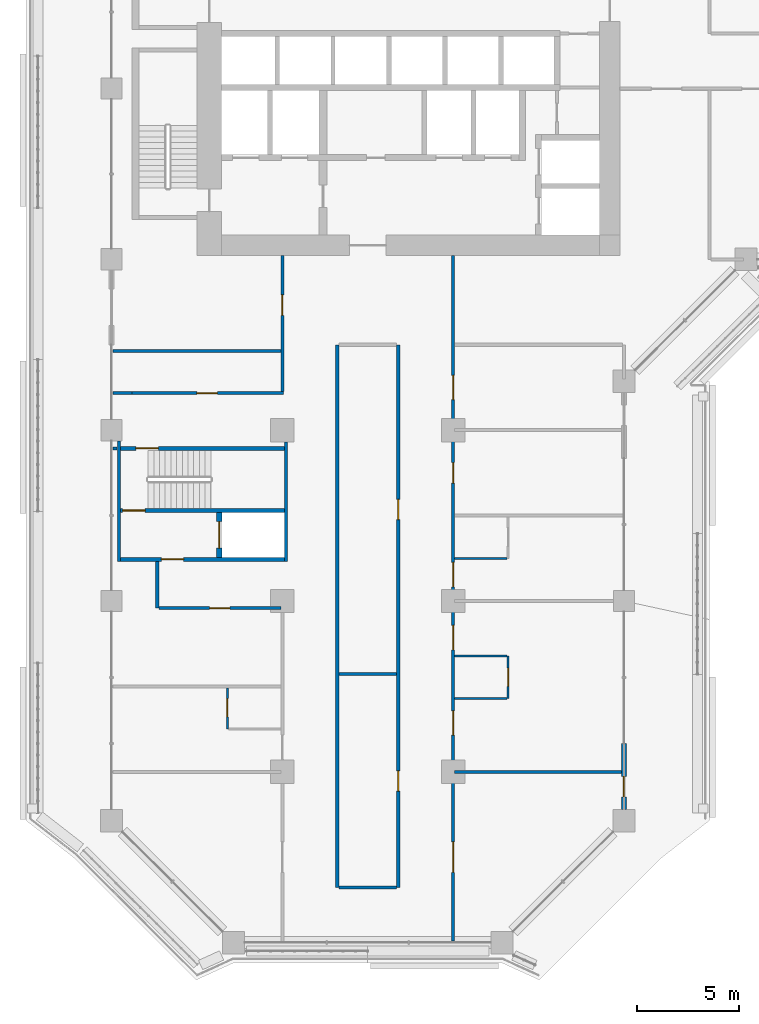
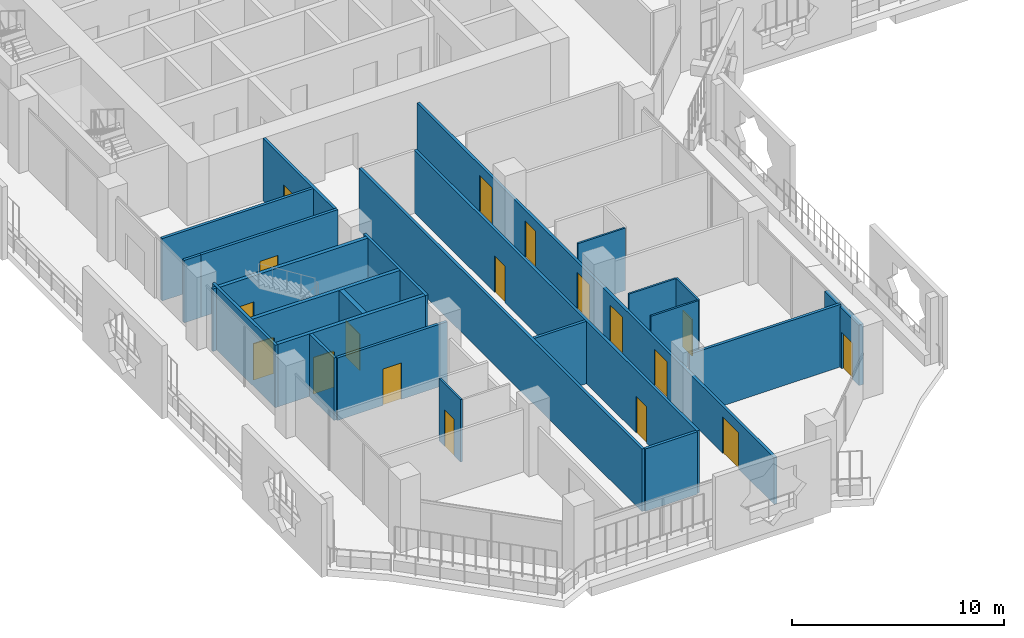
# One storey, part 12 of 26: 25 walls, 18 doors, 18 openings.
"""IFC4 building model written with IfcOpenShell, lengths in metres."""

from ifc_helpers import new_model, si_unit, direction, frame, frame_2d, origin, place, context, subcontext, project, spatial, rectangle, extrude, material, layer, layer_set, type_object, element, fill, save


model = new_model("IFC4")

# Units and contexts
model_context = context("Model", 3, precision=1e-05, world=origin(), true_north=direction((0.0, 1.0)))
body_context = subcontext(model_context, "Body", "Model", "MODEL_VIEW")
ifc_project = project(units=[si_unit("LENGTHUNIT", "METRE"), si_unit("AREAUNIT", "SQUARE_METRE"), si_unit("VOLUMEUNIT", "CUBIC_METRE"), si_unit("PLANEANGLEUNIT", "RADIAN"), si_unit("MASSUNIT", "GRAM", prefix="KILO")], contexts=[model_context])

# Site, building, storey
site_placement = place(None, origin())
site = spatial("IfcSite", under=ifc_project, at=site_placement, CompositionType="ELEMENT")
building_placement = place(site_placement, origin())
building = spatial("IfcBuilding", under=site, at=building_placement, Name="Kawkab Arch Medical Tower", CompositionType="ELEMENT")
storey_placement = place(building_placement, frame((0.0, 0.0, 119.800048828125)))
storey = spatial("IfcBuildingStorey", under=building, at=storey_placement, Name="L27", CompositionType="ELEMENT", Elevation=119.800048828125)

# Wall, opening, door
ifc_material_1 = material(Name="Concrete C60/75", Category="concrete")
ifc_layer_1 = layer(ifc_material_1, 0.25)
ifc_layer_set_1 = layer_set([ifc_layer_1], Name="Concrete C60/75")
wall_type_1 = type_object("IfcWallType", Name="Core shear wall 250 C60/75", PredefinedType="SHEAR", material=ifc_layer_set_1)
wall_1_placement = place(storey_placement, frame((5.300048828125, -39.85009765625, 0.0), z_axis=(0.0, 0.0, 1.0), x_axis=(0.0, 1.0, 0.0)))
wall_1 = element("IfcWall", 1, at=wall_1_placement, inside=storey, type_object=wall_type_1, Name="L27 core shear wall", PredefinedType="SHEAR", context=body_context, shape_type="SweptSolid", body=[
    extrude(rectangle(XDim=2.2001953125, YDim=0.25, at=frame_2d((1.10009765625, 0.0))), origin(), (0.0, 0.0, 1.0), 3.599853515625),
])
opening_1_placement = place(wall_1_placement, frame((0.449951171875, 0.0, 0.0)))
opening_1 = element("IfcOpeningElement", 2, at=opening_1_placement, cuts=wall_1, Name="Opening LD2", PredefinedType="OPENING", context=body_context, shape_type="SweptSolid", body=[
    extrude(rectangle(XDim=1.300048828125, YDim=2.10009765625, at=frame_2d((0.64990234375, 1.050048828125))), frame((0.0, 0.135009765625, 0.0), z_axis=(0.0, -1.0, 0.0), x_axis=(1.0, 0.0, 0.0)), (0.0, 0.0, 1.0), 0.27001953125),
])
ifc_material_2 = material(Name="Stainless steel lift door leaf", Category="steel")
door_type_1 = type_object("IfcDoorType", Name="Lift landing door 1300", OperationType="DOUBLE_DOOR_SLIDING", PredefinedType="DOOR", material=ifc_material_2)
door_1_placement = place(opening_1_placement, origin())
door_1 = element("IfcDoor", 3, at=door_1_placement, inside=storey, type_object=door_type_1, Name="L27 Lift landing door SV2", OperationType="DOUBLE_DOOR_SLIDING", OverallHeight=2.10009765625, OverallWidth=1.300048828125, PredefinedType="DOOR", context=body_context, shape_type="SweptSolid", body=[
    extrude(rectangle(XDim=1.300048828125, YDim=2.10009765625, at=frame_2d((0.64990234375, 1.050048828125))), frame((0.0, 0.02490234375, 0.0), z_axis=(0.0, -1.0, 0.0), x_axis=(1.0, 0.0, 0.0)), (0.0, 0.0, 1.0), 0.050048828125),
])
fill(opening_1, door_1)

ifc_material_3 = material(Name="Bronze clad insulated wall panel")
ifc_layer_2 = layer(ifc_material_3, 0.25)
ifc_layer_set_2 = layer_set([ifc_layer_2], Name="Bronze clad insulated wall panel")
wall_type_2 = type_object("IfcWallType", Name="External wall bay 250", PredefinedType="SOLIDWALL", material=ifc_layer_set_2)
wall_2_placement = place(storey_placement, frame((25.199951171875, -52.25, 0.0), z_axis=(0.0, 0.0, 1.0), x_axis=(0.0, 1.0, 0.0)))
wall_2 = element("IfcWall", 4, at=wall_2_placement, inside=storey, type_object=wall_type_2, Name="External wall bay L27.R05.1.1", PredefinedType="SOLIDWALL", context=body_context, shape_type="SweptSolid", body=[
    extrude(rectangle(XDim=3.24169921875, YDim=0.25, at=frame_2d((1.620849609375, 0.0))), origin(), (0.0, 0.0, 1.0), 3.47998046875),
])
opening_2_placement = place(wall_2_placement, frame((0.620849609375, 0.0, 0.0)))
opening_2 = element("IfcOpeningElement", 5, at=opening_2_placement, cuts=wall_2, Name="Opening W27-702", PredefinedType="OPENING", context=body_context, shape_type="SweptSolid", body=[
    extrude(rectangle(XDim=1.0, YDim=2.10009765625, at=frame_2d((0.5, 1.050048828125))), frame((0.0, 0.135009765625, 0.0), z_axis=(0.0, -1.0, 0.0), x_axis=(1.0, 0.0, 0.0)), (0.0, 0.0, 1.0), 0.27001953125),
])
ifc_material_4 = material(Name="Bronze anodised aluminium door with tinted glass", Category="aluminium")
door_type_2 = type_object("IfcDoorType", Name="Single external door 1000 x 2100", OperationType="SINGLE_SWING_LEFT", PredefinedType="DOOR", material=ifc_material_4)
door_2_placement = place(opening_2_placement, origin())
door_2 = element("IfcDoor", 6, at=door_2_placement, inside=storey, type_object=door_type_2, Name="External door L27.R05.1.1", OperationType="SINGLE_SWING_LEFT", OverallHeight=2.10009765625, OverallWidth=1.0, PredefinedType="DOOR", context=body_context, shape_type="SweptSolid", body=[
    extrude(rectangle(XDim=1.0, YDim=2.10009765625, at=frame_2d((0.5, 1.050048828125))), frame((0.0, 0.02490234375, 0.0), z_axis=(0.0, -1.0, 0.0), x_axis=(1.0, 0.0, 0.0)), (0.0, 0.0, 1.0), 0.050048828125),
])
fill(opening_2, door_2)

# Walls
ifc_material_5 = material(Name="Gypsum board partition on steel studs", Category="steel")
ifc_layer_3 = layer(ifc_material_5, 0.10009765625)
ifc_layer_set_3 = layer_set([ifc_layer_3], Name="Gypsum board partition on steel studs")
wall_type_3 = type_object("IfcWallType", Name="Partition 100", PredefinedType="PARTITIONING", material=ifc_layer_set_3)
wall_3_placement = place(storey_placement, frame((16.875, -46.800048828125, 0.0), z_axis=(0.0, 0.0, 1.0), x_axis=(1.0, 0.0, 0.0)))
element("IfcWall", 7, at=wall_3_placement, inside=storey, type_object=wall_type_3, Name="Partition 100 w002", PredefinedType="PARTITIONING", context=body_context, shape_type="SweptSolid", body=[
    extrude(rectangle(XDim=2.572998046875, YDim=0.10009765625, at=frame_2d((1.28662109375, 0.0))), origin(), (0.0, 0.0, 1.0), 3.599853515625),
])
wall_4_placement = place(storey_placement, frame((16.875, -44.699951171875, 0.0), z_axis=(0.0, 0.0, 1.0), x_axis=(1.0, 0.0, 0.0)))
element("IfcWall", 8, at=wall_4_placement, inside=storey, type_object=wall_type_3, Name="Partition 100 w003", PredefinedType="PARTITIONING", context=body_context, shape_type="SweptSolid", body=[
    extrude(rectangle(XDim=2.573974609375, YDim=0.10009765625, at=frame_2d((1.287109375, 0.0))), origin(), (0.0, 0.0, 1.0), 3.599853515625),
])
wall_5_placement = place(storey_placement, frame((16.875, -39.89990234375, 0.0), z_axis=(0.0, 0.0, 1.0), x_axis=(1.0, 0.0, 0.0)))
element("IfcWall", 9, at=wall_5_placement, inside=storey, type_object=wall_type_3, Name="Partition 100 w004", PredefinedType="PARTITIONING", context=body_context, shape_type="SweptSolid", body=[
    extrude(rectangle(XDim=2.574951171875, YDim=0.10009765625, at=frame_2d((1.28759765625, 0.0))), origin(), (0.0, 0.0, 1.0), 3.599853515625),
])

# Wall, opening, door
wall_6_placement = place(storey_placement, frame((5.699951171875, -48.300048828125, 0.0), z_axis=(0.0, 0.0, 1.0), x_axis=(0.0, 1.0, 0.0)))
wall_6 = element("IfcWall", 10, at=wall_6_placement, inside=storey, type_object=wall_type_3, Name="Partition 100 w014", PredefinedType="PARTITIONING", context=body_context, shape_type="SweptSolid", body=[
    extrude(rectangle(XDim=2.025146484375, YDim=0.10009765625, at=frame_2d((1.0126953125, 0.0))), origin(), (0.0, 0.0, 1.0), 3.599853515625),
])
opening_3_placement = place(wall_6_placement, frame((0.60009765625, 0.0, 0.0)))
opening_3 = element("IfcOpeningElement", 11, at=opening_3_placement, cuts=wall_6, Name="Opening W27-014", PredefinedType="OPENING", context=body_context, shape_type="SweptSolid", body=[
    extrude(rectangle(XDim=0.89990234375, YDim=2.10009765625, at=frame_2d((0.449951171875, 1.050048828125))), frame((0.0, 0.06005859375, 0.0), z_axis=(0.0, -1.0, 0.0), x_axis=(1.0, 0.0, 0.0)), (0.0, 0.0, 1.0), 0.1201171875),
])
ifc_material_6 = material(Name="Timber door leaf", Category="wood")
door_type_3 = type_object("IfcDoorType", Name="Single door 900x2100", OperationType="NOTDEFINED", PredefinedType="DOOR", material=ifc_material_6)
door_3_placement = place(opening_3_placement, origin())
door_3 = element("IfcDoor", 12, at=door_3_placement, inside=storey, type_object=door_type_3, Name="Door W27-014", OperationType="SINGLE_SWING_LEFT", OverallHeight=2.10009765625, OverallWidth=0.89990234375, PredefinedType="DOOR", context=body_context, shape_type="SweptSolid", body=[
    extrude(rectangle(XDim=0.89990234375, YDim=2.10009765625, at=frame_2d((0.449951171875, 1.050048828125))), frame((0.0, 0.02490234375, 0.0), z_axis=(0.0, -1.0, 0.0), x_axis=(1.0, 0.0, 0.0)), (0.0, 0.0, 1.0), 0.050048828125),
])
fill(opening_3, door_3)

wall_7_placement = place(storey_placement, frame((19.5, -46.798095703125, 0.0), z_axis=(0.0, 0.0, 1.0), x_axis=(0.0, 1.0, 0.0)))
wall_7 = element("IfcWall", 13, at=wall_7_placement, inside=storey, type_object=wall_type_3, Name="Partition 100 w015", PredefinedType="PARTITIONING", context=body_context, shape_type="SweptSolid", body=[
    extrude(rectangle(XDim=2.09619140625, YDim=0.10009765625, at=frame_2d((1.048095703125, 0.0))), origin(), (0.0, 0.0, 1.0), 3.599853515625),
])
opening_4_placement = place(wall_7_placement, frame((0.597900390625, 0.0, 0.0)))
opening_4 = element("IfcOpeningElement", 14, at=opening_4_placement, cuts=wall_7, Name="Opening W27-016", PredefinedType="OPENING", context=body_context, shape_type="SweptSolid", body=[
    extrude(rectangle(XDim=0.89990234375, YDim=2.10009765625, at=frame_2d((0.449951171875, 1.050048828125))), frame((0.0, 0.06005859375, 0.0), z_axis=(0.0, -1.0, 0.0), x_axis=(1.0, 0.0, 0.0)), (0.0, 0.0, 1.0), 0.1201171875),
])
door_4_placement = place(opening_4_placement, origin())
door_4 = element("IfcDoor", 15, at=door_4_placement, inside=storey, type_object=door_type_3, Name="Door W27-016", OperationType="SINGLE_SWING_RIGHT", OverallHeight=2.10009765625, OverallWidth=0.89990234375, PredefinedType="DOOR", context=body_context, shape_type="SweptSolid", body=[
    extrude(rectangle(XDim=0.89990234375, YDim=2.10009765625, at=frame_2d((0.449951171875, 1.050048828125))), frame((0.0, 0.02490234375, 0.0), z_axis=(0.0, -1.0, 0.0), x_axis=(1.0, 0.0, 0.0)), (0.0, 0.0, 1.0), 0.050048828125),
])
fill(opening_4, door_4)

# Walls
ifc_material_7 = material(Name="Gypsum board partition on steel studs, mineral wool", Category="steel")
ifc_layer_4 = layer(ifc_material_7, 0.14990234375)
ifc_layer_set_4 = layer_set([ifc_layer_4], Name="Gypsum board partition on steel studs, mineral wool")
wall_type_4 = type_object("IfcWallType", Name="Partition 150", PredefinedType="PARTITIONING", material=ifc_layer_set_4)
wall_8_placement = place(storey_placement, frame((11.175048828125, -56.10009765625, 0.0), z_axis=(0.0, 0.0, 1.0), x_axis=(1.0, 0.0, 0.0)))
element("IfcWall", 16, at=wall_8_placement, inside=storey, type_object=wall_type_4, Name="Partition 150 w030", PredefinedType="PARTITIONING", context=body_context, shape_type="SweptSolid", body=[
    extrude(rectangle(XDim=2.849853515625, YDim=0.14990234375, at=frame_2d((1.4248046875, 0.0))), origin(), (0.0, 0.0, 1.0), 3.599853515625),
])
wall_9_placement = place(storey_placement, frame((16.875, -50.39990234375, 0.0), z_axis=(0.0, 0.0, 1.0), x_axis=(1.0, 0.0, 0.0)))
element("IfcWall", 17, at=wall_9_placement, inside=storey, type_object=wall_type_4, Name="Partition 150 w032", PredefinedType="PARTITIONING", context=body_context, shape_type="SweptSolid", body=[
    extrude(rectangle(XDim=8.2451171875, YDim=0.14990234375, at=frame_2d((4.12255859375, 0.0))), origin(), (0.0, 0.0, 1.0), 3.599853515625),
])
wall_10_placement = place(storey_placement, frame((11.175048828125, -45.60009765625, 0.0), z_axis=(0.0, 0.0, 1.0), x_axis=(1.0, 0.0, 0.0)))
element("IfcWall", 18, at=wall_10_placement, inside=storey, type_object=wall_type_4, Name="Partition 150 w034", PredefinedType="PARTITIONING", context=body_context, shape_type="SweptSolid", body=[
    extrude(rectangle(XDim=2.849853515625, YDim=0.14990234375, at=frame_2d((1.4248046875, 0.0))), origin(), (0.0, 0.0, 1.0), 3.599853515625),
])

# Wall, opening, door
wall_11_placement = place(storey_placement, frame((2.326904296875, -42.35009765625, 0.0), z_axis=(0.0, 0.0, 1.0), x_axis=(1.0, 0.0, 0.0)))
wall_11 = element("IfcWall", 19, at=wall_11_placement, inside=storey, type_object=wall_type_4, Name="Partition 150 w035", PredefinedType="PARTITIONING", context=body_context, shape_type="SweptSolid", body=[
    extrude(rectangle(XDim=5.998046875, YDim=0.14990234375, at=frame_2d((2.9990234375, 0.0))), origin(), (0.0, 0.0, 1.0), 3.599853515625),
])
opening_5_placement = place(wall_11_placement, frame((2.4990234375, 0.0, 0.0)))
opening_5 = element("IfcOpeningElement", 20, at=opening_5_placement, cuts=wall_11, Name="Opening W27-032", PredefinedType="OPENING", context=body_context, shape_type="SweptSolid", body=[
    extrude(rectangle(XDim=1.0, YDim=2.10009765625, at=frame_2d((0.5, 1.050048828125))), frame((0.0, 0.0849609375, 0.0), z_axis=(0.0, -1.0, 0.0), x_axis=(1.0, 0.0, 0.0)), (0.0, 0.0, 1.0), 0.169921875),
])
ifc_material_8 = material(Name="Hollow metal door leaf")
door_type_4 = type_object("IfcDoorType", Name="Single door 1000x2100 FD30S", OperationType="NOTDEFINED", PredefinedType="DOOR", material=ifc_material_8)
door_5_placement = place(opening_5_placement, origin())
door_5 = element("IfcDoor", 21, at=door_5_placement, inside=storey, type_object=door_type_4, Name="Door W27-032", OperationType="SINGLE_SWING_RIGHT", OverallHeight=2.10009765625, OverallWidth=1.0, PredefinedType="DOOR", context=body_context, shape_type="SweptSolid", body=[
    extrude(rectangle(XDim=1.0, YDim=2.10009765625, at=frame_2d((0.5, 1.050048828125))), frame((0.0, 0.02490234375, 0.0), z_axis=(0.0, -1.0, 0.0), x_axis=(1.0, 0.0, 0.0)), (0.0, 0.0, 1.0), 0.050048828125),
])
fill(opening_5, door_5)

# Walls
wall_12_placement = place(storey_placement, frame((0.080078125, -34.5, 0.0), z_axis=(0.0, 0.0, 1.0), x_axis=(1.0, 0.0, 0.0)))
element("IfcWall", 22, at=wall_12_placement, inside=storey, type_object=wall_type_4, Name="Partition 150 w038", PredefinedType="PARTITIONING", context=body_context, shape_type="SweptSolid", body=[
    extrude(rectangle(XDim=0.18994140625, YDim=0.14990234375, at=frame_2d((0.094970703125, 0.0))), origin(), (0.0, 0.0, 1.0), 3.599853515625),
])
wall_13_placement = place(storey_placement, frame((0.080078125, -31.781982421875, 0.0), z_axis=(0.0, 0.0, 1.0), x_axis=(1.0, 0.0, 0.0)))
element("IfcWall", 23, at=wall_13_placement, inside=storey, type_object=wall_type_4, Name="Partition 150 w040", PredefinedType="PARTITIONING", context=body_context, shape_type="SweptSolid", body=[
    extrude(rectangle(XDim=0.919921875, YDim=0.14990234375, at=frame_2d((0.4599609375, 0.0))), origin(), (0.0, 0.0, 1.0), 3.599853515625),
])

# Wall, opening, door
wall_14_placement = place(storey_placement, frame((1.001953125, -31.781982421875, 0.0), z_axis=(0.0, 0.0, 1.0), x_axis=(1.0, 0.0, 0.0)))
wall_14 = element("IfcWall", 24, at=wall_14_placement, inside=storey, type_object=wall_type_4, Name="Partition 150 w041", PredefinedType="PARTITIONING", context=body_context, shape_type="SweptSolid", body=[
    extrude(rectangle(XDim=7.447998046875, YDim=0.14990234375, at=frame_2d((3.72412109375, 0.0))), origin(), (0.0, 0.0, 1.0), 3.599853515625),
])
opening_6_placement = place(wall_14_placement, frame((3.198974609375, 0.0, 0.0)))
opening_6 = element("IfcOpeningElement", 25, at=opening_6_placement, cuts=wall_14, Name="Opening W27-031", PredefinedType="OPENING", context=body_context, shape_type="SweptSolid", body=[
    extrude(rectangle(XDim=1.0, YDim=2.10009765625, at=frame_2d((0.5, 1.050048828125))), frame((0.0, 0.0849609375, 0.0), z_axis=(0.0, -1.0, 0.0), x_axis=(1.0, 0.0, 0.0)), (0.0, 0.0, 1.0), 0.169921875),
])
door_6_placement = place(opening_6_placement, origin())
door_6 = element("IfcDoor", 26, at=door_6_placement, inside=storey, type_object=door_type_4, Name="Door W27-031", OperationType="SINGLE_SWING_RIGHT", OverallHeight=2.10009765625, OverallWidth=1.0, PredefinedType="DOOR", context=body_context, shape_type="SweptSolid", body=[
    extrude(rectangle(XDim=1.0, YDim=2.10009765625, at=frame_2d((0.5, 1.050048828125))), frame((0.0, 0.02490234375, 0.0), z_axis=(0.0, -1.0, 0.0), x_axis=(1.0, 0.0, 0.0)), (0.0, 0.0, 1.0), 0.050048828125),
])
fill(opening_6, door_6)

# Walls
wall_15_placement = place(storey_placement, frame((0.080078125, -29.699951171875, 0.0), z_axis=(0.0, 0.0, 1.0), x_axis=(1.0, 0.0, 0.0)))
element("IfcWall", 27, at=wall_15_placement, inside=storey, type_object=wall_type_4, Name="Partition 150 w042", PredefinedType="PARTITIONING", context=body_context, shape_type="SweptSolid", body=[
    extrude(rectangle(XDim=8.244873046875, YDim=0.14990234375, at=frame_2d((4.12255859375, 0.0))), origin(), (0.0, 0.0, 1.0), 3.599853515625),
])
wall_16_placement = place(storey_placement, frame((2.25, -42.347900390625, 0.0), z_axis=(0.0, 0.0, 1.0), x_axis=(0.0, 1.0, 0.0)))
element("IfcWall", 28, at=wall_16_placement, inside=storey, type_object=wall_type_4, Name="Partition 150 w058", PredefinedType="PARTITIONING", context=body_context, shape_type="SweptSolid", body=[
    extrude(rectangle(XDim=2.2978515625, YDim=0.14990234375, at=frame_2d((1.14892578125, 0.0))), origin(), (0.0, 0.0, 1.0), 3.599853515625),
])

# Wall, opening, door
wall_17_placement = place(storey_placement, frame((8.39990234375, -31.70703125, 0.0), z_axis=(0.0, 0.0, 1.0), x_axis=(0.0, 1.0, 0.0)))
wall_17 = element("IfcWall", 29, at=wall_17_placement, inside=storey, type_object=wall_type_4, Name="Partition 150 w060", PredefinedType="PARTITIONING", context=body_context, shape_type="SweptSolid", body=[
    extrude(rectangle(XDim=6.70703125, YDim=0.14990234375, at=frame_2d((3.353515625, 0.0))), origin(), (0.0, 0.0, 1.0), 3.599853515625),
])
opening_7_placement = place(wall_17_placement, frame((3.757080078125, 0.0, 0.0)))
opening_7 = element("IfcOpeningElement", 30, at=opening_7_placement, cuts=wall_17, Name="Opening W27-030", PredefinedType="OPENING", context=body_context, shape_type="SweptSolid", body=[
    extrude(rectangle(XDim=1.0, YDim=2.10009765625, at=frame_2d((0.5, 1.050048828125))), frame((0.0, 0.0849609375, 0.0), z_axis=(0.0, -1.0, 0.0), x_axis=(1.0, 0.0, 0.0)), (0.0, 0.0, 1.0), 0.169921875),
])
door_7_placement = place(opening_7_placement, origin())
door_7 = element("IfcDoor", 31, at=door_7_placement, inside=storey, type_object=door_type_4, Name="Door W27-030", OperationType="SINGLE_SWING_RIGHT", OverallHeight=2.10009765625, OverallWidth=1.0, PredefinedType="DOOR", context=body_context, shape_type="SweptSolid", body=[
    extrude(rectangle(XDim=1.0, YDim=2.10009765625, at=frame_2d((0.5, 1.050048828125))), frame((0.0, 0.02490234375, 0.0), z_axis=(0.0, -1.0, 0.0), x_axis=(1.0, 0.0, 0.0)), (0.0, 0.0, 1.0), 0.050048828125),
])
fill(opening_7, door_7)

# Wall
wall_18_placement = place(storey_placement, frame((11.10009765625, -56.10009765625, 0.0), z_axis=(0.0, 0.0, 1.0), x_axis=(0.0, 1.0, 0.0)))
element("IfcWall", 32, at=wall_18_placement, inside=storey, type_object=wall_type_4, Name="Partition 150 w061", PredefinedType="PARTITIONING", context=body_context, shape_type="SweptSolid", body=[
    extrude(rectangle(XDim=26.7001953125, YDim=0.14990234375, at=frame_2d((13.35009765625, 0.0))), origin(), (0.0, 0.0, 1.0), 3.599853515625),
])

# Wall, openings, doors
wall_19_placement = place(storey_placement, frame((14.10009765625, -56.10009765625, 0.0), z_axis=(0.0, 0.0, 1.0), x_axis=(0.0, 1.0, 0.0)))
wall_19 = element("IfcWall", 33, at=wall_19_placement, inside=storey, type_object=wall_type_4, Name="Partition 150 w062", PredefinedType="PARTITIONING", context=body_context, shape_type="SweptSolid", body=[
    extrude(rectangle(XDim=26.7001953125, YDim=0.14990234375, at=frame_2d((13.35009765625, 0.0))), origin(), (0.0, 0.0, 1.0), 3.599853515625),
])
opening_8_placement = place(wall_19_placement, frame((18.10009765625, 0.0, 0.0)))
opening_8 = element("IfcOpeningElement", 34, at=opening_8_placement, cuts=wall_19, Name="Opening W27-033", PredefinedType="OPENING", context=body_context, shape_type="SweptSolid", body=[
    extrude(rectangle(XDim=1.0, YDim=2.10009765625, at=frame_2d((0.5, 1.050048828125))), frame((0.0, 0.0849609375, 0.0), z_axis=(0.0, -1.0, 0.0), x_axis=(1.0, 0.0, 0.0)), (0.0, 0.0, 1.0), 0.169921875),
])
opening_9_placement = place(wall_19_placement, frame((4.75, 0.0, 0.0)))
opening_9 = element("IfcOpeningElement", 35, at=opening_9_placement, cuts=wall_19, Name="Opening W27-034", PredefinedType="OPENING", context=body_context, shape_type="SweptSolid", body=[
    extrude(rectangle(XDim=1.0, YDim=2.10009765625, at=frame_2d((0.5, 1.050048828125))), frame((0.0, 0.0849609375, 0.0), z_axis=(0.0, -1.0, 0.0), x_axis=(1.0, 0.0, 0.0)), (0.0, 0.0, 1.0), 0.169921875),
])
door_8_placement = place(opening_8_placement, origin())
door_8 = element("IfcDoor", 36, at=door_8_placement, inside=storey, type_object=door_type_4, Name="Door W27-033", OperationType="SINGLE_SWING_RIGHT", OverallHeight=2.10009765625, OverallWidth=1.0, PredefinedType="DOOR", context=body_context, shape_type="SweptSolid", body=[
    extrude(rectangle(XDim=1.0, YDim=2.10009765625, at=frame_2d((0.5, 1.050048828125))), frame((0.0, 0.02490234375, 0.0), z_axis=(0.0, -1.0, 0.0), x_axis=(1.0, 0.0, 0.0)), (0.0, 0.0, 1.0), 0.050048828125),
])
fill(opening_8, door_8)
door_9_placement = place(opening_9_placement, origin())
door_9 = element("IfcDoor", 37, at=door_9_placement, inside=storey, type_object=door_type_4, Name="Door W27-034", OperationType="SINGLE_SWING_LEFT", OverallHeight=2.10009765625, OverallWidth=1.0, PredefinedType="DOOR", context=body_context, shape_type="SweptSolid", body=[
    extrude(rectangle(XDim=1.0, YDim=2.10009765625, at=frame_2d((0.5, 1.050048828125))), frame((0.0, 0.02490234375, 0.0), z_axis=(0.0, -1.0, 0.0), x_axis=(1.0, 0.0, 0.0)), (0.0, 0.0, 1.0), 0.050048828125),
])
fill(opening_9, door_9)

wall_20_placement = place(storey_placement, frame((16.800048828125, -58.719970703125, 0.0), z_axis=(0.0, 0.0, 1.0), x_axis=(0.0, 1.0, 0.0)))
wall_20 = element("IfcWall", 38, at=wall_20_placement, inside=storey, type_object=wall_type_4, Name="Partition 150 w063", PredefinedType="PARTITIONING", context=body_context, shape_type="SweptSolid", body=[
    extrude(rectangle(XDim=33.719970703125, YDim=0.14990234375, at=frame_2d((16.85986328125, 0.0))), origin(), (0.0, 0.0, 1.0), 2.699951171875),
])
opening_10_placement = place(wall_20_placement, frame((26.6201171875, 0.0, 0.0)))
opening_10 = element("IfcOpeningElement", 39, at=opening_10_placement, cuts=wall_20, Name="Opening W27-054", PredefinedType="OPENING", context=body_context, shape_type="SweptSolid", body=[
    extrude(rectangle(XDim=1.199951171875, YDim=2.10009765625, at=frame_2d((0.60009765625, 1.050048828125))), frame((0.0, 0.0849609375, 0.0), z_axis=(0.0, -1.0, 0.0), x_axis=(1.0, 0.0, 0.0)), (0.0, 0.0, 1.0), 0.169921875),
])
opening_11_placement = place(wall_20_placement, frame((22.52001953125, 0.0, 0.0)))
opening_11 = element("IfcOpeningElement", 40, at=opening_11_placement, cuts=wall_20, Name="Opening W27-035", PredefinedType="OPENING", context=body_context, shape_type="SweptSolid", body=[
    extrude(rectangle(XDim=1.0, YDim=2.10009765625, at=frame_2d((0.5, 1.050048828125))), frame((0.0, 0.0849609375, 0.0), z_axis=(0.0, -1.0, 0.0), x_axis=(1.0, 0.0, 0.0)), (0.0, 0.0, 1.0), 0.169921875),
])
opening_12_placement = place(wall_20_placement, frame((17.419921875, 0.0, 0.0)))
opening_12 = element("IfcOpeningElement", 41, at=opening_12_placement, cuts=wall_20, Name="Opening W27-055", PredefinedType="OPENING", context=body_context, shape_type="SweptSolid", body=[
    extrude(rectangle(XDim=1.199951171875, YDim=2.10009765625, at=frame_2d((0.60009765625, 1.050048828125))), frame((0.0, 0.0849609375, 0.0), z_axis=(0.0, -1.0, 0.0), x_axis=(1.0, 0.0, 0.0)), (0.0, 0.0, 1.0), 0.169921875),
])
opening_13_placement = place(wall_20_placement, frame((10.1201171875, 0.0, 0.0)))
opening_13 = element("IfcOpeningElement", 42, at=opening_13_placement, cuts=wall_20, Name="Opening W27-056", PredefinedType="OPENING", context=body_context, shape_type="SweptSolid", body=[
    extrude(rectangle(XDim=1.199951171875, YDim=2.10009765625, at=frame_2d((0.60009765625, 1.050048828125))), frame((0.0, 0.0849609375, 0.0), z_axis=(0.0, -1.0, 0.0), x_axis=(1.0, 0.0, 0.0)), (0.0, 0.0, 1.0), 0.169921875),
])
opening_14_placement = place(wall_20_placement, frame((14.320068359375, 0.0, 0.0)))
opening_14 = element("IfcOpeningElement", 43, at=opening_14_placement, cuts=wall_20, Name="Opening W27-057", PredefinedType="OPENING", context=body_context, shape_type="SweptSolid", body=[
    extrude(rectangle(XDim=1.199951171875, YDim=2.10009765625, at=frame_2d((0.60009765625, 1.050048828125))), frame((0.0, 0.0849609375, 0.0), z_axis=(0.0, -1.0, 0.0), x_axis=(1.0, 0.0, 0.0)), (0.0, 0.0, 1.0), 0.169921875),
])
opening_15_placement = place(wall_20_placement, frame((3.3701171875, 0.0, 0.0)))
opening_15 = element("IfcOpeningElement", 44, at=opening_15_placement, cuts=wall_20, Name="Opening W27-003", PredefinedType="OPENING", context=body_context, shape_type="SweptSolid", body=[
    extrude(rectangle(XDim=1.5, YDim=2.10009765625, at=frame_2d((0.75, 1.050048828125))), frame((0.0, 0.0849609375, 0.0), z_axis=(0.0, -1.0, 0.0), x_axis=(1.0, 0.0, 0.0)), (0.0, 0.0, 1.0), 0.169921875),
])
ifc_material_9 = material(Name="Hollow metal door leaf")
door_type_5 = type_object("IfcDoorType", Name="Double door 1500x2100 FD30S", OperationType="NOTDEFINED", PredefinedType="DOOR", material=ifc_material_9)
door_10_placement = place(opening_15_placement, origin())
door_10 = element("IfcDoor", 45, at=door_10_placement, inside=storey, type_object=door_type_5, Name="Door W27-003", OperationType="DOUBLE_DOOR_SINGLE_SWING", OverallHeight=2.10009765625, OverallWidth=1.5, PredefinedType="DOOR", context=body_context, shape_type="SweptSolid", body=[
    extrude(rectangle(XDim=1.5, YDim=2.10009765625, at=frame_2d((0.75, 1.050048828125))), frame((0.0, 0.02490234375, 0.0), z_axis=(0.0, -1.0, 0.0), x_axis=(1.0, 0.0, 0.0)), (0.0, 0.0, 1.0), 0.050048828125),
])
fill(opening_15, door_10)
door_11_placement = place(opening_11_placement, origin())
door_11 = element("IfcDoor", 46, at=door_11_placement, inside=storey, type_object=door_type_4, Name="Door W27-035", OperationType="SINGLE_SWING_LEFT", OverallHeight=2.10009765625, OverallWidth=1.0, PredefinedType="DOOR", context=body_context, shape_type="SweptSolid", body=[
    extrude(rectangle(XDim=1.0, YDim=2.10009765625, at=frame_2d((0.5, 1.050048828125))), frame((0.0, 0.02490234375, 0.0), z_axis=(0.0, -1.0, 0.0), x_axis=(1.0, 0.0, 0.0)), (0.0, 0.0, 1.0), 0.050048828125),
])
fill(opening_11, door_11)
ifc_material_10 = material(Name="Hollow metal door leaf")
door_type_6 = type_object("IfcDoorType", Name="Single door 1200x2100 FD30S", OperationType="NOTDEFINED", PredefinedType="DOOR", material=ifc_material_10)
door_12_placement = place(opening_10_placement, origin())
door_12 = element("IfcDoor", 47, at=door_12_placement, inside=storey, type_object=door_type_6, Name="Door W27-054", OperationType="SINGLE_SWING_LEFT", OverallHeight=2.10009765625, OverallWidth=1.199951171875, PredefinedType="DOOR", context=body_context, shape_type="SweptSolid", body=[
    extrude(rectangle(XDim=1.199951171875, YDim=2.10009765625, at=frame_2d((0.60009765625, 1.050048828125))), frame((0.0, 0.02490234375, 0.0), z_axis=(0.0, -1.0, 0.0), x_axis=(1.0, 0.0, 0.0)), (0.0, 0.0, 1.0), 0.050048828125),
])
fill(opening_10, door_12)
door_13_placement = place(opening_12_placement, origin())
door_13 = element("IfcDoor", 48, at=door_13_placement, inside=storey, type_object=door_type_6, Name="Door W27-055", OperationType="SINGLE_SWING_LEFT", OverallHeight=2.10009765625, OverallWidth=1.199951171875, PredefinedType="DOOR", context=body_context, shape_type="SweptSolid", body=[
    extrude(rectangle(XDim=1.199951171875, YDim=2.10009765625, at=frame_2d((0.60009765625, 1.050048828125))), frame((0.0, 0.02490234375, 0.0), z_axis=(0.0, -1.0, 0.0), x_axis=(1.0, 0.0, 0.0)), (0.0, 0.0, 1.0), 0.050048828125),
])
fill(opening_12, door_13)
door_14_placement = place(opening_13_placement, origin())
door_14 = element("IfcDoor", 49, at=door_14_placement, inside=storey, type_object=door_type_6, Name="Door W27-056", OperationType="SINGLE_SWING_RIGHT", OverallHeight=2.10009765625, OverallWidth=1.199951171875, PredefinedType="DOOR", context=body_context, shape_type="SweptSolid", body=[
    extrude(rectangle(XDim=1.199951171875, YDim=2.10009765625, at=frame_2d((0.60009765625, 1.050048828125))), frame((0.0, 0.02490234375, 0.0), z_axis=(0.0, -1.0, 0.0), x_axis=(1.0, 0.0, 0.0)), (0.0, 0.0, 1.0), 0.050048828125),
])
fill(opening_13, door_14)
door_15_placement = place(opening_14_placement, origin())
door_15 = element("IfcDoor", 50, at=door_15_placement, inside=storey, type_object=door_type_6, Name="Door W27-057", OperationType="SINGLE_SWING_RIGHT", OverallHeight=2.10009765625, OverallWidth=1.199951171875, PredefinedType="DOOR", context=body_context, shape_type="SweptSolid", body=[
    extrude(rectangle(XDim=1.199951171875, YDim=2.10009765625, at=frame_2d((0.60009765625, 1.050048828125))), frame((0.0, 0.02490234375, 0.0), z_axis=(0.0, -1.0, 0.0), x_axis=(1.0, 0.0, 0.0)), (0.0, 0.0, 1.0), 0.050048828125),
])
fill(opening_14, door_15)

# Walls
ifc_material_11 = material(Name="Concrete C50/60", Category="concrete")
ifc_layer_5 = layer(ifc_material_11, 0.14990234375)
ifc_layer_set_5 = layer_set([ifc_layer_5], Name="Concrete C50/60")
wall_type_5 = type_object("IfcWallType", Name="Stair enclosure wall 150 C50/60", PredefinedType="SHEAR", material=ifc_layer_set_5)
wall_21_placement = place(storey_placement, frame((0.375, -40.050048828125, 0.0), z_axis=(0.0, 0.0, 1.0), x_axis=(0.0, 1.0, 0.0)))
element("IfcWall", 51, at=wall_21_placement, inside=storey, type_object=wall_type_5, Name="L27 stair enclosure wall", PredefinedType="SHEAR", context=body_context, shape_type="SweptSolid", body=[
    extrude(rectangle(XDim=5.925048828125, YDim=0.14990234375, at=frame_2d((2.96240234375, 0.0))), origin(), (0.0, 0.0, 1.0), 3.599853515625),
])
wall_22_placement = place(storey_placement, frame((8.574951171875, -40.050048828125, 0.0), z_axis=(0.0, 0.0, 1.0), x_axis=(0.0, 1.0, 0.0)))
element("IfcWall", 52, at=wall_22_placement, inside=storey, type_object=wall_type_5, Name="L27 stair enclosure wall", PredefinedType="SHEAR", context=body_context, shape_type="SweptSolid", body=[
    extrude(rectangle(XDim=5.875, YDim=0.14990234375, at=frame_2d((2.9375, 0.0))), origin(), (0.0, 0.0, 1.0), 3.599853515625),
])

# Wall, opening, door
ifc_material_12 = material(Name="Concrete C50/60", Category="concrete")
ifc_layer_6 = layer(ifc_material_12, 0.199951171875)
ifc_layer_set_6 = layer_set([ifc_layer_6], Name="Concrete C50/60")
wall_type_6 = type_object("IfcWallType", Name="Stair enclosure wall 200 C50/60", PredefinedType="SHEAR", material=ifc_layer_set_6)
wall_23_placement = place(storey_placement, frame((0.449951171875, -34.5, 0.0), z_axis=(0.0, 0.0, 1.0), x_axis=(1.0, 0.0, 0.0)))
wall_23 = element("IfcWall", 53, at=wall_23_placement, inside=storey, type_object=wall_type_6, Name="L27 stair enclosure wall", PredefinedType="SHEAR", context=body_context, shape_type="SweptSolid", body=[
    extrude(rectangle(XDim=8.050048828125, YDim=0.199951171875, at=frame_2d((4.02490234375, 0.0))), origin(), (0.0, 0.0, 1.0), 3.599853515625),
])
opening_16_placement = place(wall_23_placement, frame((0.75, 0.0, 0.0)))
opening_16 = element("IfcOpeningElement", 54, at=opening_16_placement, cuts=wall_23, Name="Opening SD", PredefinedType="OPENING", context=body_context, shape_type="SweptSolid", body=[
    extrude(rectangle(XDim=1.10009765625, YDim=2.10009765625, at=frame_2d((0.550048828125, 1.050048828125))), frame((0.0, 0.10986328125, 0.0), z_axis=(0.0, -1.0, 0.0), x_axis=(1.0, 0.0, 0.0)), (0.0, 0.0, 1.0), 0.219970703125),
])
ifc_material_13 = material(Name="Hollow metal fire door leaf")
door_type_7 = type_object("IfcDoorType", Name="Exit stair door 1100", OperationType="SINGLE_SWING_LEFT", PredefinedType="DOOR", material=ifc_material_13)
door_16_placement = place(opening_16_placement, origin())
door_16 = element("IfcDoor", 55, at=door_16_placement, inside=storey, type_object=door_type_7, Name="L27 Exit stair ST6 door", OperationType="SINGLE_SWING_LEFT", OverallHeight=2.10009765625, OverallWidth=1.10009765625, PredefinedType="DOOR", context=body_context, shape_type="SweptSolid", body=[
    extrude(rectangle(XDim=1.10009765625, YDim=2.10009765625, at=frame_2d((0.550048828125, 1.050048828125))), frame((0.0, 0.02490234375, 0.0), z_axis=(0.0, -1.0, 0.0), x_axis=(1.0, 0.0, 0.0)), (0.0, 0.0, 1.0), 0.050048828125),
])
fill(opening_16, door_16)

wall_24_placement = place(storey_placement, frame((0.449951171875, -37.550048828125, 0.0), z_axis=(0.0, 0.0, 1.0), x_axis=(1.0, 0.0, 0.0)))
wall_24 = element("IfcWall", 56, at=wall_24_placement, inside=storey, type_object=wall_type_6, Name="L27 stair enclosure wall", PredefinedType="SHEAR", context=body_context, shape_type="SweptSolid", body=[
    extrude(rectangle(XDim=8.050048828125, YDim=0.199951171875, at=frame_2d((4.02490234375, 0.0))), origin(), (0.0, 0.0, 1.0), 3.599853515625),
])
opening_17_placement = place(wall_24_placement, frame((0.10009765625, 0.0, 0.0)))
opening_17 = element("IfcOpeningElement", 57, at=opening_17_placement, cuts=wall_24, Name="Opening SD", PredefinedType="OPENING", context=body_context, shape_type="SweptSolid", body=[
    extrude(rectangle(XDim=1.10009765625, YDim=2.10009765625, at=frame_2d((0.550048828125, 1.050048828125))), frame((0.0, 0.10986328125, 0.0), z_axis=(0.0, -1.0, 0.0), x_axis=(1.0, 0.0, 0.0)), (0.0, 0.0, 1.0), 0.219970703125),
])
door_17_placement = place(opening_17_placement, frame((1.10009765625, 0.0, 0.0), z_axis=(0.0, 0.0, 1.0), x_axis=(-1.0, 0.0, 0.0)))
door_17 = element("IfcDoor", 58, at=door_17_placement, inside=storey, type_object=door_type_7, Name="L27 Exit stair ST6 lobby door", OperationType="SINGLE_SWING_LEFT", OverallHeight=2.10009765625, OverallWidth=1.10009765625, PredefinedType="DOOR", context=body_context, shape_type="SweptSolid", body=[
    extrude(rectangle(XDim=1.10009765625, YDim=2.10009765625, at=frame_2d((0.550048828125, 1.050048828125))), frame((0.0, 0.02490234375, 0.0), z_axis=(0.0, -1.0, 0.0), x_axis=(1.0, 0.0, 0.0)), (0.0, 0.0, 1.0), 0.050048828125),
])
fill(opening_17, door_17)

wall_25_placement = place(storey_placement, frame((0.449951171875, -39.949951171875, 0.0), z_axis=(0.0, 0.0, 1.0), x_axis=(1.0, 0.0, 0.0)))
wall_25 = element("IfcWall", 59, at=wall_25_placement, inside=storey, type_object=wall_type_6, Name="L27 stair enclosure wall", PredefinedType="SHEAR", context=body_context, shape_type="SweptSolid", body=[
    extrude(rectangle(XDim=8.050048828125, YDim=0.199951171875, at=frame_2d((4.02490234375, 0.0))), origin(), (0.0, 0.0, 1.0), 3.599853515625),
])
opening_18_placement = place(wall_25_placement, frame((2.0, 0.0, 0.0)))
opening_18 = element("IfcOpeningElement", 60, at=opening_18_placement, cuts=wall_25, Name="Opening FD", PredefinedType="OPENING", context=body_context, shape_type="SweptSolid", body=[
    extrude(rectangle(XDim=1.10009765625, YDim=2.10009765625, at=frame_2d((0.550048828125, 1.050048828125))), frame((0.0, 0.10986328125, 0.0), z_axis=(0.0, -1.0, 0.0), x_axis=(1.0, 0.0, 0.0)), (0.0, 0.0, 1.0), 0.219970703125),
])
ifc_material_14 = material(Name="Hollow metal fire door leaf")
door_type_8 = type_object("IfcDoorType", Name="Firefighting lobby door 1100", OperationType="SINGLE_SWING_LEFT", PredefinedType="DOOR", material=ifc_material_14)
door_18_placement = place(opening_18_placement, origin())
door_18 = element("IfcDoor", 61, at=door_18_placement, inside=storey, type_object=door_type_8, Name="L27 Service lift lobby door SV2", OperationType="SINGLE_SWING_LEFT", OverallHeight=2.10009765625, OverallWidth=1.10009765625, PredefinedType="DOOR", context=body_context, shape_type="SweptSolid", body=[
    extrude(rectangle(XDim=1.10009765625, YDim=2.10009765625, at=frame_2d((0.550048828125, 1.050048828125))), frame((0.0, 0.02490234375, 0.0), z_axis=(0.0, -1.0, 0.0), x_axis=(1.0, 0.0, 0.0)), (0.0, 0.0, 1.0), 0.050048828125),
])
fill(opening_18, door_18)

save(model, "model.ifc")
